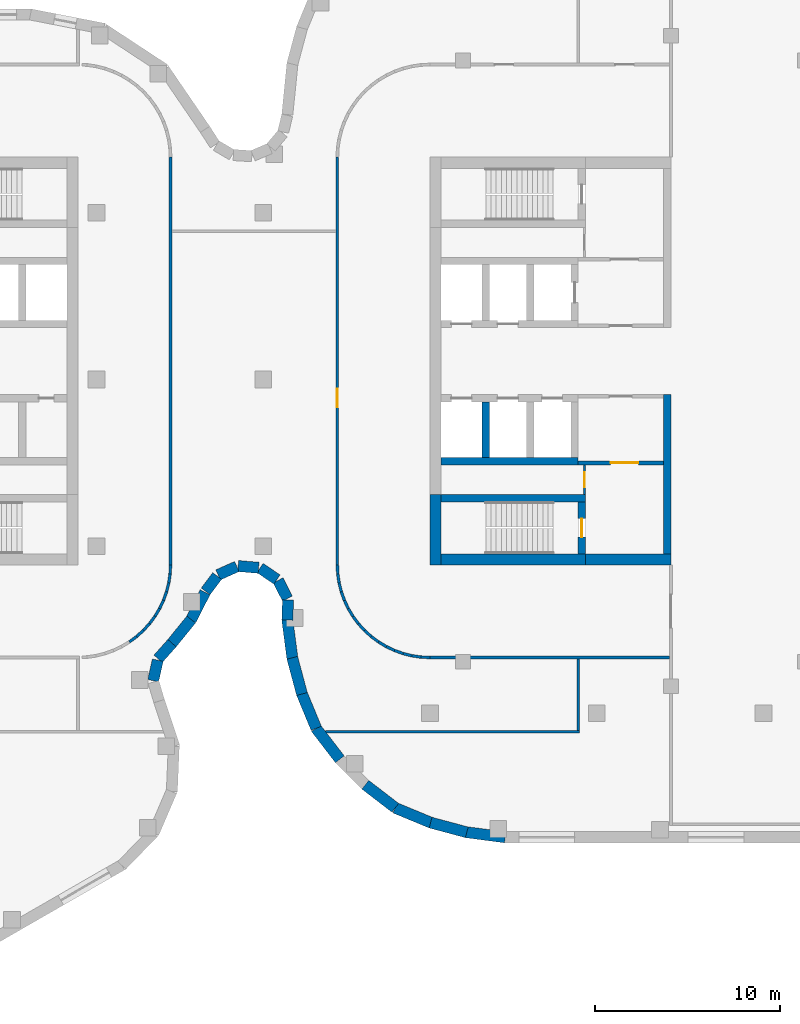
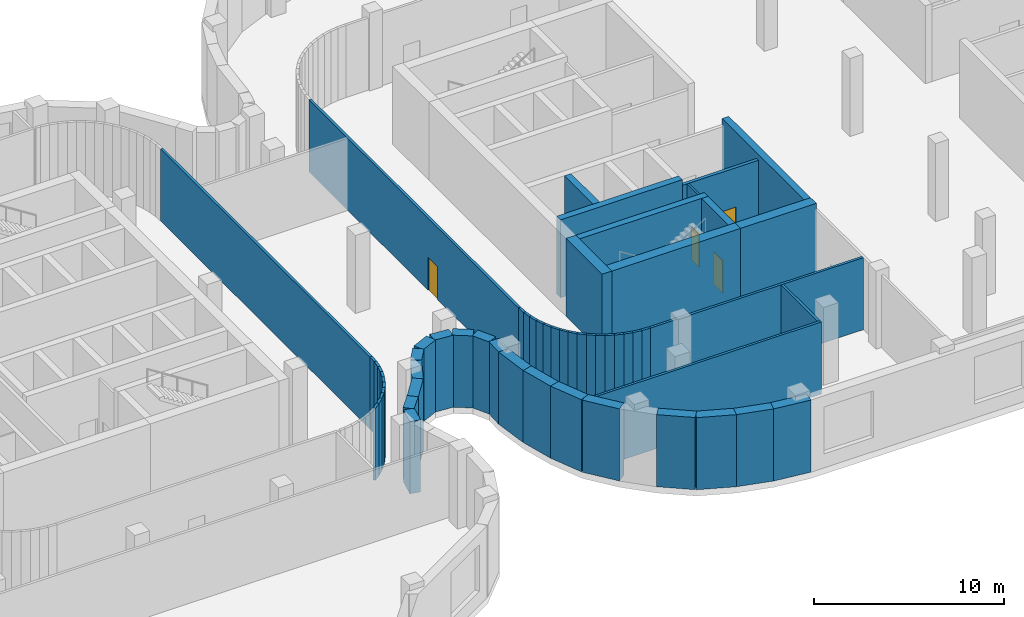
# One storey, part 9 of 18: 59 walls, 4 doors, 4 openings.
"""IFC4 building model written with IfcOpenShell, lengths in metres."""

from ifc_helpers import new_model, si_unit, direction, frame, frame_2d, origin, place, context, subcontext, project, spatial, rectangle, extrude, material, layer, layer_set, type_object, element, fill, save


model = new_model("IFC4")

# Units and contexts
model_context = context("Model", 3, precision=1e-05, world=origin(), true_north=direction((0.0, 1.0)))
body_context = subcontext(model_context, "Body", "Model", "MODEL_VIEW")
ifc_project = project(units=[si_unit("LENGTHUNIT", "METRE"), si_unit("AREAUNIT", "SQUARE_METRE"), si_unit("VOLUMEUNIT", "CUBIC_METRE"), si_unit("PLANEANGLEUNIT", "RADIAN"), si_unit("MASSUNIT", "GRAM", prefix="KILO")], contexts=[model_context])

# Site, building, storey
site_placement = place(None, origin())
site = spatial("IfcSite", under=ifc_project, at=site_placement, CompositionType="ELEMENT")
building_placement = place(site_placement, origin())
building = spatial("IfcBuilding", under=site, at=building_placement, Name="Skarvind Civic Tower", CompositionType="ELEMENT")
storey_placement = place(building_placement, frame((0.0, 0.0, 22.5)))
storey = spatial("IfcBuildingStorey", under=building, at=storey_placement, Name="L04", CompositionType="ELEMENT", Elevation=22.5)

# Wall, opening, door
ifc_material_1 = material(Name="Fire-rated masonry partition", Category="masonry")
ifc_layer_1 = layer(ifc_material_1, 0.199951171875)
ifc_layer_set_1 = layer_set([ifc_layer_1], Name="Core enclosure wall 200")
wall_type_1 = type_object("IfcWallType", Name="Core enclosure wall 200", PredefinedType="PARTITIONING", material=ifc_layer_set_1)
wall_1_placement = place(storey_placement, frame((139.60009765625, 122.5, 0.0), z_axis=(0.0, 0.0, 1.0), x_axis=(-1.0, 0.0, 0.0)))
wall_1 = element("IfcWall", 1, at=wall_1_placement, inside=storey, type_object=wall_type_1, Name="Core wall CA", PredefinedType="PARTITIONING", context=body_context, shape_type="SweptSolid", body=[
    extrude(rectangle(XDim=4.60009765625, YDim=0.199951171875, at=frame_2d((2.300048828125, 0.0))), origin(), (0.0, 0.0, 1.0), 4.625),
])
opening_1_placement = place(wall_1_placement, frame((1.35009765625, 0.0, 0.0)))
opening_1 = element("IfcOpeningElement", 2, at=opening_1_placement, cuts=wall_1, Name="Opening D-L04-CA-11", PredefinedType="OPENING", context=body_context, shape_type="SweptSolid", body=[
    extrude(rectangle(XDim=1.5, YDim=2.10009765625, at=frame_2d((0.75, 1.050048828125))), frame((0.0, 0.10986328125, 0.0), z_axis=(0.0, -1.0, 0.0), x_axis=(1.0, 0.0, 0.0)), (0.0, 0.0, 1.0), 0.219970703125),
])
ifc_material_2 = material(Name="Fire-rated steel door", Category="steel")
door_type_1 = type_object("IfcDoorType", Name="Fire door 1500", OperationType="NOTDEFINED", PredefinedType="DOOR", material=ifc_material_2)
door_1_placement = place(opening_1_placement, origin())
door_1 = element("IfcDoor", 3, at=door_1_placement, inside=storey, type_object=door_type_1, Name="Fire door", OperationType="DOUBLE_DOOR_SINGLE_SWING", OverallHeight=2.10009765625, OverallWidth=1.5, PredefinedType="DOOR", context=body_context, shape_type="SweptSolid", body=[
    extrude(rectangle(XDim=1.5, YDim=2.10009765625, at=frame_2d((0.75, 1.050048828125))), frame((0.0, 0.02490234375, 0.0), z_axis=(0.0, -1.0, 0.0), x_axis=(1.0, 0.0, 0.0)), (0.0, 0.0, 1.0), 0.050048828125),
])
fill(opening_1, door_1)

# Wall
ifc_material_3 = material(Name="Concrete C80", Category="concrete")
ifc_layer_2 = layer(ifc_material_3, 0.39990234375)
ifc_layer_set_2 = layer_set([ifc_layer_2], Name="Core wall 400 C80")
wall_type_2 = type_object("IfcWallType", Name="Core wall 400 C80", PredefinedType="SHEAR", material=ifc_layer_set_2)
wall_2_placement = place(storey_placement, frame((127.60009765625, 120.60009765625, 0.0), z_axis=(0.0, 0.0, 1.0), x_axis=(1.0, 0.0, 0.0)))
element("IfcWall", 4, at=wall_2_placement, inside=storey, type_object=wall_type_2, Name="Core wall CA south stair inner L04", PredefinedType="SHEAR", context=body_context, shape_type="SweptSolid", body=[
    extrude(rectangle(XDim=7.7998046875, YDim=0.39990234375, at=frame_2d((3.89990234375, 0.0))), origin(), (0.0, 0.0, 1.0), 5.0),
])

# Wall, opening, door
wall_3_placement = place(storey_placement, frame((135.199951171875, 117.60009765625, 0.0), z_axis=(0.0, 0.0, 1.0), x_axis=(0.0, 1.0, 0.0)))
wall_3 = element("IfcWall", 5, at=wall_3_placement, inside=storey, type_object=wall_type_2, Name="Core wall CA south stair end L04", PredefinedType="SHEAR", context=body_context, shape_type="SweptSolid", body=[
    extrude(rectangle(XDim=2.7998046875, YDim=0.39990234375, at=frame_2d((1.39990234375, 0.0))), origin(), (0.0, 0.0, 1.0), 5.0),
])
opening_2_placement = place(wall_3_placement, frame((0.89990234375, 0.0, 0.0)))
opening_2 = element("IfcOpeningElement", 6, at=opening_2_placement, cuts=wall_3, Name="Opening D-L04-CA-12", PredefinedType="OPENING", context=body_context, shape_type="SweptSolid", body=[
    extrude(rectangle(XDim=1.0, YDim=2.10009765625, at=frame_2d((0.5, 1.050048828125))), frame((0.0, 0.2099609375, 0.0), z_axis=(0.0, -1.0, 0.0), x_axis=(1.0, 0.0, 0.0)), (0.0, 0.0, 1.0), 0.419921875),
])
door_type_2 = type_object("IfcDoorType", Name="Fire door 1000", OperationType="NOTDEFINED", PredefinedType="DOOR", material=ifc_material_2)
door_2_placement = place(opening_2_placement, origin())
door_2 = element("IfcDoor", 7, at=door_2_placement, inside=storey, type_object=door_type_2, Name="Fire door", OperationType="SINGLE_SWING_RIGHT", OverallHeight=2.10009765625, OverallWidth=1.0, PredefinedType="DOOR", context=body_context, shape_type="SweptSolid", body=[
    extrude(rectangle(XDim=1.0, YDim=2.10009765625, at=frame_2d((0.5, 1.050048828125))), frame((0.0, 0.02490234375, 0.0), z_axis=(0.0, -1.0, 0.0), x_axis=(1.0, 0.0, 0.0)), (0.0, 0.0, 1.0), 0.050048828125),
])
fill(opening_2, door_2)

# Walls
wall_4_placement = place(storey_placement, frame((127.60009765625, 122.60009765625, 0.0), z_axis=(0.0, 0.0, 1.0), x_axis=(1.0, 0.0, 0.0)))
element("IfcWall", 8, at=wall_4_placement, inside=storey, type_object=wall_type_2, Name="Core wall CA south lift row back L04", PredefinedType="SHEAR", context=body_context, shape_type="SweptSolid", body=[
    extrude(rectangle(XDim=7.39990234375, YDim=0.39990234375, at=frame_2d((3.699951171875, 0.0))), origin(), (0.0, 0.0, 1.0), 5.0),
])
wall_5_placement = place(storey_placement, frame((130.0, 122.800048828125, 0.0), z_axis=(0.0, 0.0, 1.0), x_axis=(0.0, 1.0, 0.0)))
element("IfcWall", 9, at=wall_5_placement, inside=storey, type_object=wall_type_2, Name="Core wall CA south lift row division 1 L04", PredefinedType="SHEAR", context=body_context, shape_type="SweptSolid", body=[
    extrude(rectangle(XDim=3.0, YDim=0.39990234375, at=frame_2d((1.5, 0.0))), origin(), (0.0, 0.0, 1.0), 5.0),
])
wall_6_placement = place(storey_placement, frame((139.800048828125, 117.60009765625, 0.0), z_axis=(0.0, 0.0, 1.0), x_axis=(0.0, 1.0, 0.0)))
element("IfcWall", 10, at=wall_6_placement, inside=storey, type_object=wall_type_2, Name="Core wall CA south inner face L04", PredefinedType="SHEAR", context=body_context, shape_type="SweptSolid", body=[
    extrude(rectangle(XDim=8.599853515625, YDim=0.39990234375, at=frame_2d((4.2998046875, 0.0))), origin(), (0.0, 0.0, 1.0), 5.0),
])
ifc_layer_3 = layer(ifc_material_3, 0.60009765625)
ifc_layer_set_3 = layer_set([ifc_layer_3], Name="Core wall 600 C80")
wall_type_3 = type_object("IfcWallType", Name="Core wall 600 C80", PredefinedType="SHEAR", material=ifc_layer_set_3)
wall_7_placement = place(storey_placement, frame((127.300048828125, 117.0, 0.0), z_axis=(0.0, 0.0, 1.0), x_axis=(0.0, 1.0, 0.0)))
element("IfcWall", 11, at=wall_7_placement, inside=storey, type_object=wall_type_3, Name="Core wall CA tip at the south stair L04", PredefinedType="SHEAR", context=body_context, shape_type="SweptSolid", body=[
    extrude(rectangle(XDim=3.800048828125, YDim=0.60009765625, at=frame_2d((1.89990234375, 0.0))), origin(), (0.0, 0.0, 1.0), 5.0),
])
wall_8_placement = place(storey_placement, frame((127.60009765625, 117.300048828125, 0.0), z_axis=(0.0, 0.0, 1.0), x_axis=(1.0, 0.0, 0.0)))
element("IfcWall", 12, at=wall_8_placement, inside=storey, type_object=wall_type_3, Name="Core wall CA south side at the stair L04", PredefinedType="SHEAR", context=body_context, shape_type="SweptSolid", body=[
    extrude(rectangle(XDim=7.7998046875, YDim=0.60009765625, at=frame_2d((3.89990234375, 0.0))), origin(), (0.0, 0.0, 1.0), 5.0),
])
wall_9_placement = place(storey_placement, frame((135.39990234375, 117.300048828125, 0.0), z_axis=(0.0, 0.0, 1.0), x_axis=(1.0, 0.0, 0.0)))
element("IfcWall", 13, at=wall_9_placement, inside=storey, type_object=wall_type_3, Name="Core wall CA south side L04", PredefinedType="SHEAR", context=body_context, shape_type="SweptSolid", body=[
    extrude(rectangle(XDim=4.60009765625, YDim=0.60009765625, at=frame_2d((2.300048828125, 0.0))), origin(), (0.0, 0.0, 1.0), 5.0),
])
ifc_material_4 = material(Name="Plasterboard partition on steel studs", Category="steel")
ifc_layer_4 = layer(ifc_material_4, 0.14990234375)
ifc_layer_set_4 = layer_set([ifc_layer_4], Name="PARTITION 150")
wall_type_4 = type_object("IfcWallType", Name="PARTITION 150", PredefinedType="PARTITIONING", material=ifc_layer_set_4)
wall_10_placement = place(storey_placement, frame((110.77490234375, 112.841064453125, 0.0), z_axis=(0.0, 0.0, 1.0), x_axis=(0.80404358372, 0.594570362092, 0.0)))
element("IfcWall", 14, at=wall_10_placement, inside=storey, type_object=wall_type_4, Name="Podium partition L04 180", PredefinedType="PARTITIONING", context=body_context, shape_type="SweptSolid", body=[
    extrude(rectangle(XDim=0.49755859375, YDim=0.14990234375, at=frame_2d((0.248779296875, 0.0))), origin(), (0.0, 0.0, 1.0), 4.625),
])
for number, where, z_axis, x_axis, name in (
    (15, (111.1689453125, 113.133056640625, 0.0), (0.0, 0.0, 1.0), (0.742416880587, 0.66993818776, 0.0), "Podium partition L04 182"),
    (16, (111.532958984375, 113.4609375, 0.0), (0.0, 0.0, 1.0), (0.66993818776, 0.742416880587, 0.0), "Podium partition L04 184"),
):
    element("IfcWall", number, at=place(storey_placement, frame(where, z_axis=z_axis, x_axis=x_axis)), inside=storey, type_object=wall_type_4, Name=name, PredefinedType="PARTITIONING", context=body_context, shape_type="SweptSolid", body=[
        extrude(rectangle(XDim=0.49853515625, YDim=0.14990234375, at=frame_2d((0.249267578125, 0.0))), origin(), (0.0, 0.0, 1.0), 4.625),
    ])
wall_11_placement = place(storey_placement, frame((111.863037109375, 113.824951171875, 0.0), z_axis=(0.0, 0.0, 1.0), x_axis=(0.594570362092, 0.80404358372, 0.0)))
element("IfcWall", 17, at=wall_11_placement, inside=storey, type_object=wall_type_4, Name="Podium partition L04 186", PredefinedType="PARTITIONING", context=body_context, shape_type="SweptSolid", body=[
    extrude(rectangle(XDim=0.49755859375, YDim=0.14990234375, at=frame_2d((0.248779296875, 0.0))), origin(), (0.0, 0.0, 1.0), 4.625),
])
wall_12_placement = place(storey_placement, frame((112.155029296875, 114.218994140625, 0.0), z_axis=(0.0, 0.0, 1.0), x_axis=(0.515791778052, 0.85671397893, 0.0)))
element("IfcWall", 18, at=wall_12_placement, inside=storey, type_object=wall_type_4, Name="Podium partition L04 188", PredefinedType="PARTITIONING", context=body_context, shape_type="SweptSolid", body=[
    extrude(rectangle(XDim=0.49853515625, YDim=0.14990234375, at=frame_2d((0.249267578125, 0.0))), origin(), (0.0, 0.0, 1.0), 4.625),
])
for number, where, z_axis, x_axis, name in (
    (19, (112.407958984375, 114.639892578125, 0.0), (0.0, 0.0, 1.0), (0.427896709028, 0.903827641978, 0.0), "Podium partition L04 190"),
    (20, (112.617919921875, 115.083984375, 0.0), (0.0, 0.0, 1.0), (0.3371744988, 0.941442168887, 0.0), "Podium partition L04 192"),
):
    element("IfcWall", number, at=place(storey_placement, frame(where, z_axis=z_axis, x_axis=x_axis)), inside=storey, type_object=wall_type_4, Name=name, PredefinedType="PARTITIONING", context=body_context, shape_type="SweptSolid", body=[
        extrude(rectangle(XDim=0.498046875, YDim=0.14990234375, at=frame_2d((0.2490234375, 0.0))), origin(), (0.0, 0.0, 1.0), 4.625),
    ])
wall_13_placement = place(storey_placement, frame((112.783935546875, 115.544921875, 0.0), z_axis=(0.0, 0.0, 1.0), x_axis=(0.242650732785, 0.970113715952, 0.0)))
element("IfcWall", 21, at=wall_13_placement, inside=storey, type_object=wall_type_4, Name="Podium partition L04 194", PredefinedType="PARTITIONING", context=body_context, shape_type="SweptSolid", body=[
    extrude(rectangle(XDim=0.4990234375, YDim=0.14990234375, at=frame_2d((0.24951171875, 0.0))), origin(), (0.0, 0.0, 1.0), 4.625),
])
wall_14_placement = place(storey_placement, frame((112.903076171875, 116.02099609375, 0.0), z_axis=(0.0, 0.0, 1.0), x_axis=(0.148412307247, 0.988925572052, 0.0)))
element("IfcWall", 22, at=wall_14_placement, inside=storey, type_object=wall_type_4, Name="Podium partition L04 196", PredefinedType="PARTITIONING", context=body_context, shape_type="SweptSolid", body=[
    extrude(rectangle(XDim=0.49853515625, YDim=0.14990234375, at=frame_2d((0.249267578125, 0.0))), origin(), (0.0, 0.0, 1.0), 4.625),
])
wall_15_placement = place(storey_placement, frame((112.97607421875, 116.506103515625, 0.0), z_axis=(0.0, 0.0, 1.0), x_axis=(0.048196018647, 0.998837896651, 0.0)))
element("IfcWall", 23, at=wall_15_placement, inside=storey, type_object=wall_type_4, Name="Podium partition L04 198", PredefinedType="PARTITIONING", context=body_context, shape_type="SweptSolid", body=[
    extrude(rectangle(XDim=0.496337890625, YDim=0.14990234375, at=frame_2d((0.248046875, 0.0))), origin(), (0.0, 0.0, 1.0), 4.625),
])
wall_16_placement = place(storey_placement, frame((113.0, 116.998046875, 0.0), z_axis=(0.0, 0.0, 1.0), x_axis=(0.0, 1.0, 0.0)))
element("IfcWall", 24, at=wall_16_placement, inside=storey, type_object=wall_type_4, Name="Podium partition L04 200", PredefinedType="PARTITIONING", context=body_context, shape_type="SweptSolid", body=[
    extrude(rectangle(XDim=22.00390625, YDim=0.14990234375, at=frame_2d((11.001953125, 0.0))), origin(), (0.0, 0.0, 1.0), 4.625),
])
wall_17_placement = place(storey_placement, frame((121.367919921875, 108.0, 0.0), z_axis=(0.0, 0.0, 1.0), x_axis=(1.0, 0.0, 0.0)))
element("IfcWall", 25, at=wall_17_placement, inside=storey, type_object=wall_type_4, Name="Podium partition L04 202", PredefinedType="PARTITIONING", context=body_context, shape_type="SweptSolid", body=[
    extrude(rectangle(XDim=13.70703125, YDim=0.14990234375, at=frame_2d((6.853515625, 0.0))), origin(), (0.0, 0.0, 1.0), 4.625),
])

# Wall, opening, door
wall_18_placement = place(storey_placement, frame((122.0, 116.998046875, 0.0), z_axis=(0.0, 0.0, 1.0), x_axis=(0.0, 1.0, 0.0)))
wall_18 = element("IfcWall", 26, at=wall_18_placement, inside=storey, type_object=wall_type_4, Name="Podium partition L04 203", PredefinedType="PARTITIONING", context=body_context, shape_type="SweptSolid", body=[
    extrude(rectangle(XDim=22.00390625, YDim=0.14990234375, at=frame_2d((11.001953125, 0.0))), origin(), (0.0, 0.0, 1.0), 4.625),
])
opening_3_placement = place(wall_18_placement, frame((8.50390625, 0.0, 0.0)))
opening_3 = element("IfcOpeningElement", 27, at=opening_3_placement, cuts=wall_18, Name="Opening L04-D220", PredefinedType="OPENING", context=body_context, shape_type="SweptSolid", body=[
    extrude(rectangle(XDim=1.0, YDim=2.10009765625, at=frame_2d((0.5, 1.050048828125))), frame((0.0, 0.0849609375, 0.0), z_axis=(0.0, -1.0, 0.0), x_axis=(1.0, 0.0, 0.0)), (0.0, 0.0, 1.0), 0.169921875),
])
ifc_material_5 = material(Name="Timber veneer door leaf", Category="wood")
door_type_3 = type_object("IfcDoorType", Name="DOOR 1000X2100 TIMBER", OperationType="NOTDEFINED", PredefinedType="DOOR", material=ifc_material_5)
door_3_placement = place(opening_3_placement, origin())
door_3 = element("IfcDoor", 28, at=door_3_placement, inside=storey, type_object=door_type_3, Name="DOOR DOOR", OperationType="SINGLE_SWING_RIGHT", OverallHeight=2.10009765625, OverallWidth=1.0, PredefinedType="DOOR", context=body_context, shape_type="SweptSolid", body=[
    extrude(rectangle(XDim=1.0, YDim=2.10009765625, at=frame_2d((0.5, 1.050048828125))), frame((0.0, 0.02490234375, 0.0), z_axis=(0.0, -1.0, 0.0), x_axis=(1.0, 0.0, 0.0)), (0.0, 0.0, 1.0), 0.050048828125),
])
fill(opening_3, door_3)

# Walls
wall_19_placement = place(storey_placement, frame((122.0, 117.001953125, 0.0), z_axis=(0.0, 0.0, 1.0), x_axis=(0.048196018647, -0.998837896651, 0.0)))
element("IfcWall", 29, at=wall_19_placement, inside=storey, type_object=wall_type_4, Name="Podium partition L04 204", PredefinedType="PARTITIONING", context=body_context, shape_type="SweptSolid", body=[
    extrude(rectangle(XDim=0.496337890625, YDim=0.14990234375, at=frame_2d((0.248046875, 0.0))), origin(), (0.0, 0.0, 1.0), 4.625),
])
wall_20_placement = place(storey_placement, frame((122.02294921875, 116.513916015625, 0.0), z_axis=(0.0, 0.0, 1.0), x_axis=(0.148412307247, -0.988925572052, 0.0)))
element("IfcWall", 30, at=wall_20_placement, inside=storey, type_object=wall_type_4, Name="Podium partition L04 206", PredefinedType="PARTITIONING", context=body_context, shape_type="SweptSolid", body=[
    extrude(rectangle(XDim=0.49853515625, YDim=0.14990234375, at=frame_2d((0.249267578125, 0.0))), origin(), (0.0, 0.0, 1.0), 4.625),
])
wall_21_placement = place(storey_placement, frame((122.094970703125, 116.029052734375, 0.0), z_axis=(0.0, 0.0, 1.0), x_axis=(0.242650732785, -0.970113715952, 0.0)))
element("IfcWall", 31, at=wall_21_placement, inside=storey, type_object=wall_type_4, Name="Podium partition L04 208", PredefinedType="PARTITIONING", context=body_context, shape_type="SweptSolid", body=[
    extrude(rectangle(XDim=0.4990234375, YDim=0.14990234375, at=frame_2d((0.24951171875, 0.0))), origin(), (0.0, 0.0, 1.0), 4.625),
])
for number, where, z_axis, x_axis, name in (
    (32, (122.214111328125, 115.552978515625, 0.0), (0.0, 0.0, 1.0), (0.3371744988, -0.941442168887, 0.0), "Podium partition L04 210"),
    (33, (122.37890625, 115.090087890625, 0.0), (0.0, 0.0, 1.0), (0.427896709028, -0.903827641978, 0.0), "Podium partition L04 212"),
):
    element("IfcWall", number, at=place(storey_placement, frame(where, z_axis=z_axis, x_axis=x_axis)), inside=storey, type_object=wall_type_4, Name=name, PredefinedType="PARTITIONING", context=body_context, shape_type="SweptSolid", body=[
        extrude(rectangle(XDim=0.498046875, YDim=0.14990234375, at=frame_2d((0.2490234375, 0.0))), origin(), (0.0, 0.0, 1.0), 4.625),
    ])
wall_22_placement = place(storey_placement, frame((122.587890625, 114.64599609375, 0.0), z_axis=(0.0, 0.0, 1.0), x_axis=(0.515791778052, -0.85671397893, 0.0)))
element("IfcWall", 34, at=wall_22_placement, inside=storey, type_object=wall_type_4, Name="Podium partition L04 214", PredefinedType="PARTITIONING", context=body_context, shape_type="SweptSolid", body=[
    extrude(rectangle(XDim=0.49853515625, YDim=0.14990234375, at=frame_2d((0.249267578125, 0.0))), origin(), (0.0, 0.0, 1.0), 4.625),
])
wall_23_placement = place(storey_placement, frame((122.841064453125, 114.22509765625, 0.0), z_axis=(0.0, 0.0, 1.0), x_axis=(0.594570362092, -0.80404358372, 0.0)))
element("IfcWall", 35, at=wall_23_placement, inside=storey, type_object=wall_type_4, Name="Podium partition L04 216", PredefinedType="PARTITIONING", context=body_context, shape_type="SweptSolid", body=[
    extrude(rectangle(XDim=0.49755859375, YDim=0.14990234375, at=frame_2d((0.248779296875, 0.0))), origin(), (0.0, 0.0, 1.0), 4.625),
])
for number, where, z_axis, x_axis, name in (
    (36, (123.133056640625, 113.8310546875, 0.0), (0.0, 0.0, 1.0), (0.66993818776, -0.742416880587, 0.0), "Podium partition L04 218"),
    (37, (123.4609375, 113.467041015625, 0.0), (0.0, 0.0, 1.0), (0.742416880587, -0.66993818776, 0.0), "Podium partition L04 220"),
):
    element("IfcWall", number, at=place(storey_placement, frame(where, z_axis=z_axis, x_axis=x_axis)), inside=storey, type_object=wall_type_4, Name=name, PredefinedType="PARTITIONING", context=body_context, shape_type="SweptSolid", body=[
        extrude(rectangle(XDim=0.49853515625, YDim=0.14990234375, at=frame_2d((0.249267578125, 0.0))), origin(), (0.0, 0.0, 1.0), 4.625),
    ])
wall_24_placement = place(storey_placement, frame((123.824951171875, 113.136962890625, 0.0), z_axis=(0.0, 0.0, 1.0), x_axis=(0.80404358372, -0.594570362092, 0.0)))
element("IfcWall", 38, at=wall_24_placement, inside=storey, type_object=wall_type_4, Name="Podium partition L04 222", PredefinedType="PARTITIONING", context=body_context, shape_type="SweptSolid", body=[
    extrude(rectangle(XDim=0.49755859375, YDim=0.14990234375, at=frame_2d((0.248779296875, 0.0))), origin(), (0.0, 0.0, 1.0), 4.625),
])
wall_25_placement = place(storey_placement, frame((124.218994140625, 112.844970703125, 0.0), z_axis=(0.0, 0.0, 1.0), x_axis=(0.85671397893, -0.515791778052, 0.0)))
element("IfcWall", 39, at=wall_25_placement, inside=storey, type_object=wall_type_4, Name="Podium partition L04 224", PredefinedType="PARTITIONING", context=body_context, shape_type="SweptSolid", body=[
    extrude(rectangle(XDim=0.49853515625, YDim=0.14990234375, at=frame_2d((0.249267578125, 0.0))), origin(), (0.0, 0.0, 1.0), 4.625),
])
for number, where, z_axis, x_axis, name in (
    (40, (124.639892578125, 112.592041015625, 0.0), (0.0, 0.0, 1.0), (0.903827641978, -0.427896709028, 0.0), "Podium partition L04 226"),
    (41, (125.083984375, 112.382080078125, 0.0), (0.0, 0.0, 1.0), (0.941442168887, -0.3371744988, 0.0), "Podium partition L04 228"),
):
    element("IfcWall", number, at=place(storey_placement, frame(where, z_axis=z_axis, x_axis=x_axis)), inside=storey, type_object=wall_type_4, Name=name, PredefinedType="PARTITIONING", context=body_context, shape_type="SweptSolid", body=[
        extrude(rectangle(XDim=0.498046875, YDim=0.14990234375, at=frame_2d((0.2490234375, 0.0))), origin(), (0.0, 0.0, 1.0), 4.625),
    ])
wall_26_placement = place(storey_placement, frame((125.544921875, 112.216064453125, 0.0), z_axis=(0.0, 0.0, 1.0), x_axis=(0.970113715952, -0.242650732785, 0.0)))
element("IfcWall", 42, at=wall_26_placement, inside=storey, type_object=wall_type_4, Name="Podium partition L04 230", PredefinedType="PARTITIONING", context=body_context, shape_type="SweptSolid", body=[
    extrude(rectangle(XDim=0.4990234375, YDim=0.14990234375, at=frame_2d((0.24951171875, 0.0))), origin(), (0.0, 0.0, 1.0), 4.625),
])
wall_27_placement = place(storey_placement, frame((126.02099609375, 112.096923828125, 0.0), z_axis=(0.0, 0.0, 1.0), x_axis=(0.988925572052, -0.148412307247, 0.0)))
element("IfcWall", 43, at=wall_27_placement, inside=storey, type_object=wall_type_4, Name="Podium partition L04 232", PredefinedType="PARTITIONING", context=body_context, shape_type="SweptSolid", body=[
    extrude(rectangle(XDim=0.49853515625, YDim=0.14990234375, at=frame_2d((0.249267578125, 0.0))), origin(), (0.0, 0.0, 1.0), 4.625),
])
wall_28_placement = place(storey_placement, frame((126.506103515625, 112.02392578125, 0.0), z_axis=(0.0, 0.0, 1.0), x_axis=(0.998837896651, -0.048196018647, 0.0)))
element("IfcWall", 44, at=wall_28_placement, inside=storey, type_object=wall_type_4, Name="Podium partition L04 234", PredefinedType="PARTITIONING", context=body_context, shape_type="SweptSolid", body=[
    extrude(rectangle(XDim=0.496337890625, YDim=0.14990234375, at=frame_2d((0.248046875, 0.0))), origin(), (0.0, 0.0, 1.0), 4.625),
])
wall_29_placement = place(storey_placement, frame((126.998046875, 112.0, 0.0), z_axis=(0.0, 0.0, 1.0), x_axis=(1.0, 0.0, 0.0)))
element("IfcWall", 45, at=wall_29_placement, inside=storey, type_object=wall_type_4, Name="Podium partition L04 236", PredefinedType="PARTITIONING", context=body_context, shape_type="SweptSolid", body=[
    extrude(rectangle(XDim=12.927001953125, YDim=0.14990234375, at=frame_2d((6.46337890625, 0.0))), origin(), (0.0, 0.0, 1.0), 4.625),
])
wall_30_placement = place(storey_placement, frame((135.0, 108.074951171875, 0.0), z_axis=(0.0, 0.0, 1.0), x_axis=(0.0, 1.0, 0.0)))
element("IfcWall", 46, at=wall_30_placement, inside=storey, type_object=wall_type_4, Name="Podium partition L04 238", PredefinedType="PARTITIONING", context=body_context, shape_type="SweptSolid", body=[
    extrude(rectangle(XDim=3.85009765625, YDim=0.14990234375, at=frame_2d((1.925048828125, 0.0))), origin(), (0.0, 0.0, 1.0), 4.625),
])

# Wall, opening, door
ifc_layer_5 = layer(ifc_material_1, 0.125)
ifc_layer_set_5 = layer_set([ifc_layer_5], Name="Riser wall 125")
wall_type_5 = type_object("IfcWallType", Name="Riser wall 125", PredefinedType="PARTITIONING", material=ifc_layer_set_5)
wall_31_placement = place(storey_placement, frame((135.33740234375, 122.39990234375, 0.0), z_axis=(0.0, 0.0, 1.0), x_axis=(0.0, -1.0, 0.0)))
wall_31 = element("IfcWall", 47, at=wall_31_placement, inside=storey, type_object=wall_type_5, Name="Core wall CA", PredefinedType="PARTITIONING", context=body_context, shape_type="SweptSolid", body=[
    extrude(rectangle(XDim=1.599853515625, YDim=0.125, at=frame_2d((0.7998046875, 0.0))), origin(), (0.0, 0.0, 1.0), 4.625),
])
opening_4_placement = place(wall_31_placement, frame((0.39990234375, 0.0, 0.0)))
opening_4 = element("IfcOpeningElement", 48, at=opening_4_placement, cuts=wall_31, Name="Opening D-L04-CA-13", PredefinedType="OPENING", context=body_context, shape_type="SweptSolid", body=[
    extrude(rectangle(XDim=0.800048828125, YDim=2.10009765625, at=frame_2d((0.39990234375, 1.050048828125))), frame((0.0, 0.072509765625, 0.0), z_axis=(0.0, -1.0, 0.0), x_axis=(1.0, 0.0, 0.0)), (0.0, 0.0, 1.0), 0.14501953125),
])
door_type_4 = type_object("IfcDoorType", Name="Core riser door 800", OperationType="NOTDEFINED", PredefinedType="DOOR", material=ifc_material_2)
door_4_placement = place(opening_4_placement, origin())
door_4 = element("IfcDoor", 49, at=door_4_placement, inside=storey, type_object=door_type_4, Name="Riser door", OperationType="SINGLE_SWING_LEFT", OverallHeight=2.10009765625, OverallWidth=0.800048828125, PredefinedType="DOOR", context=body_context, shape_type="SweptSolid", body=[
    extrude(rectangle(XDim=0.800048828125, YDim=2.10009765625, at=frame_2d((0.39990234375, 1.050048828125))), frame((0.0, 0.02490234375, 0.0), z_axis=(0.0, -1.0, 0.0), x_axis=(1.0, 0.0, 0.0)), (0.0, 0.0, 1.0), 0.050048828125),
])
fill(opening_4, door_4)

# Walls
ifc_material_6 = material(Name="Limestone masonry cladding on insulated backing", Category="masonry")
ifc_layer_6 = layer(ifc_material_6, 0.60009765625)
ifc_layer_set_6 = layer_set([ifc_layer_6], Name="WX1 STONE FACADE WALL 600")
wall_type_6 = type_object("IfcWallType", Name="WX1 STONE FACADE WALL 600", PredefinedType="SOLIDWALL", material=ifc_layer_set_6)
wall_32_placement = place(storey_placement, frame((112.309814453125, 111.859130859375, 0.0), z_axis=(0.0, 0.0, 1.0), x_axis=(-0.216998636299, -0.976171906912, 0.0)))
element("IfcWall", 50, at=wall_32_placement, inside=storey, type_object=wall_type_6, Name="STONE FACADE WALL", PredefinedType="SOLIDWALL", context=body_context, shape_type="SweptSolid", body=[
    extrude(rectangle(XDim=1.137451171875, YDim=0.60009765625, at=frame_2d((0.56884765625, 0.0))), origin(), (0.0, 0.0, 1.0), 4.625),
])
wall_33_placement = place(storey_placement, frame((113.0791015625, 112.77392578125, 0.0), z_axis=(0.0, 0.0, 1.0), x_axis=(-0.664538540083, -0.747253992123, 0.0)))
element("IfcWall", 51, at=wall_33_placement, inside=storey, type_object=wall_type_6, Name="STONE FACADE WALL", PredefinedType="SOLIDWALL", context=body_context, shape_type="SweptSolid", body=[
    extrude(rectangle(XDim=1.12744140625, YDim=0.60009765625, at=frame_2d((0.563720703125, 0.0))), origin(), (0.0, 0.0, 1.0), 4.625),
])
wall_34_placement = place(storey_placement, frame((114.114501953125, 114.05078125, 0.0), z_axis=(0.0, 0.0, 1.0), x_axis=(-0.630015715698, -0.77658238325, 0.0)))
element("IfcWall", 52, at=wall_34_placement, inside=storey, type_object=wall_type_6, Name="STONE FACADE WALL", PredefinedType="SOLIDWALL", context=body_context, shape_type="SweptSolid", body=[
    extrude(rectangle(XDim=1.657470703125, YDim=0.60009765625, at=frame_2d((0.82861328125, 0.0))), origin(), (0.0, 0.0, 1.0), 4.625),
])
wall_35_placement = place(storey_placement, frame((114.865478515625, 115.524658203125, 0.0), z_axis=(0.0, 0.0, 1.0), x_axis=(-0.454203210797, -0.890898110505, 0.0)))
element("IfcWall", 53, at=wall_35_placement, inside=storey, type_object=wall_type_6, Name="STONE FACADE WALL", PredefinedType="SOLIDWALL", context=body_context, shape_type="SweptSolid", body=[
    extrude(rectangle(XDim=1.687255859375, YDim=0.60009765625, at=frame_2d((0.84375, 0.0))), origin(), (0.0, 0.0, 1.0), 4.625),
])
wall_36_placement = place(storey_placement, frame((115.5166015625, 116.39990234375, 0.0), z_axis=(0.0, 0.0, 1.0), x_axis=(-0.60018790921, -0.799859033604, 0.0)))
element("IfcWall", 54, at=wall_36_placement, inside=storey, type_object=wall_type_6, Name="STONE FACADE WALL", PredefinedType="SOLIDWALL", context=body_context, shape_type="SweptSolid", body=[
    extrude(rectangle(XDim=1.039306640625, YDim=0.60009765625, at=frame_2d((0.51953125, 0.0))), origin(), (0.0, 0.0, 1.0), 4.625),
])
for number, where, z_axis, x_axis, name in (
    (55, (116.5771484375, 116.91015625, 0.0), (0.0, 0.0, 1.0), (-0.912911040257, -0.408158587533, 0.0), "STONE FACADE WALL"),
    (56, (117.751953125, 116.841552734375, 0.0), (0.0, 0.0, 1.0), (-0.996273540208, 0.086249829453, 0.0), "STONE FACADE WALL"),
):
    element("IfcWall", number, at=place(storey_placement, frame(where, z_axis=z_axis, x_axis=x_axis)), inside=storey, type_object=wall_type_6, Name=name, PredefinedType="SOLIDWALL", context=body_context, shape_type="SweptSolid", body=[
        extrude(rectangle(XDim=1.109619140625, YDim=0.60009765625, at=frame_2d((0.5546875, 0.0))), origin(), (0.0, 0.0, 1.0), 4.625),
    ])
for number, where, z_axis, x_axis, name in (
    (57, (118.74560546875, 116.211181640625, 0.0), (0.0, 0.0, 1.0), (-0.829195474535, 0.558958732834, 0.0), "STONE FACADE WALL"),
    (58, (119.308837890625, 115.177978515625, 0.0), (0.0, 0.0, 1.0), (-0.453803794189, 0.891101630781, 0.0), "STONE FACADE WALL"),
):
    element("IfcWall", number, at=place(storey_placement, frame(where, z_axis=z_axis, x_axis=x_axis)), inside=storey, type_object=wall_type_6, Name=name, PredefinedType="SOLIDWALL", context=body_context, shape_type="SweptSolid", body=[
        extrude(rectangle(XDim=1.109375, YDim=0.60009765625, at=frame_2d((0.5546875, 0.0))), origin(), (0.0, 0.0, 1.0), 4.625),
    ])
wall_37_placement = place(storey_placement, frame((119.30029296875, 114.02099609375, 0.0), z_axis=(0.0, 0.0, 1.0), x_axis=(0.035627591166, 0.999365135848, 0.0)))
element("IfcWall", 59, at=wall_37_placement, inside=storey, type_object=wall_type_6, Name="STONE FACADE WALL", PredefinedType="SOLIDWALL", context=body_context, shape_type="SweptSolid", body=[
    extrude(rectangle(XDim=1.089599609375, YDim=0.60009765625, at=frame_2d((0.544921875, 0.0))), origin(), (0.0, 0.0, 1.0), 4.625),
])
wall_38_placement = place(storey_placement, frame((119.57568359375, 111.947509765625, 0.0), z_axis=(0.0, 0.0, 1.0), x_axis=(-0.130558200013, 0.991440646942, 0.0)))
element("IfcWall", 60, at=wall_38_placement, inside=storey, type_object=wall_type_6, Name="STONE FACADE WALL", PredefinedType="SOLIDWALL", context=body_context, shape_type="SweptSolid", body=[
    extrude(rectangle(XDim=2.1318359375, YDim=0.60009765625, at=frame_2d((1.06591796875, 0.0))), origin(), (0.0, 0.0, 1.0), 4.625),
])
wall_39_placement = place(storey_placement, frame((120.091552734375, 110.032470703125, 0.0), z_axis=(0.0, 0.0, 1.0), x_axis=(-0.258804467146, 0.965929732323, 0.0)))
element("IfcWall", 61, at=wall_39_placement, inside=storey, type_object=wall_type_6, Name="STONE FACADE WALL", PredefinedType="SOLIDWALL", context=body_context, shape_type="SweptSolid", body=[
    extrude(rectangle(XDim=2.0224609375, YDim=0.60009765625, at=frame_2d((1.01123046875, 0.0))), origin(), (0.0, 0.0, 1.0), 4.625),
])
wall_40_placement = place(storey_placement, frame((120.8603515625, 108.1806640625, 0.0), z_axis=(0.0, 0.0, 1.0), x_axis=(-0.382341242798, 0.924021197839, 0.0)))
element("IfcWall", 62, at=wall_40_placement, inside=storey, type_object=wall_type_6, Name="STONE FACADE WALL", PredefinedType="SOLIDWALL", context=body_context, shape_type="SweptSolid", body=[
    extrude(rectangle(XDim=2.0439453125, YDim=0.60009765625, at=frame_2d((1.02197265625, 0.0))), origin(), (0.0, 0.0, 1.0), 4.625),
])
wall_41_placement = place(storey_placement, frame((122.135498046875, 106.50732421875, 0.0), z_axis=(0.0, 0.0, 1.0), x_axis=(-0.609052002567, 0.79313029079, 0.0)))
element("IfcWall", 63, at=wall_41_placement, inside=storey, type_object=wall_type_6, Name="STONE FACADE WALL", PredefinedType="SOLIDWALL", context=body_context, shape_type="SweptSolid", body=[
    extrude(rectangle(XDim=2.114013671875, YDim=0.60009765625, at=frame_2d((1.05712890625, 0.0))), origin(), (0.0, 0.0, 1.0), 4.625),
])
wall_42_placement = place(storey_placement, frame((125.12841796875, 103.890625, 0.0), z_axis=(0.0, 0.0, 1.0), x_axis=(-0.793125485267, 0.609058260448, 0.0)))
element("IfcWall", 64, at=wall_42_placement, inside=storey, type_object=wall_type_6, Name="STONE FACADE WALL", PredefinedType="SOLIDWALL", context=body_context, shape_type="SweptSolid", body=[
    extrude(rectangle(XDim=2.0439453125, YDim=0.60009765625, at=frame_2d((1.02197265625, 0.0))), origin(), (0.0, 0.0, 1.0), 4.625),
])
wall_43_placement = place(storey_placement, frame((127.0693359375, 103.078857421875, 0.0), z_axis=(0.0, 0.0, 1.0), x_axis=(-0.924006983526, 0.382375593358, 0.0)))
element("IfcWall", 65, at=wall_43_placement, inside=storey, type_object=wall_type_6, Name="STONE FACADE WALL", PredefinedType="SOLIDWALL", context=body_context, shape_type="SweptSolid", body=[
    extrude(rectangle(XDim=2.114013671875, YDim=0.60009765625, at=frame_2d((1.05712890625, 0.0))), origin(), (0.0, 0.0, 1.0), 4.625),
])
wall_44_placement = place(storey_placement, frame((128.986083984375, 102.568115234375, 0.0), z_axis=(0.0, 0.0, 1.0), x_axis=(-0.965929732323, 0.258804467146, 0.0)))
element("IfcWall", 66, at=wall_44_placement, inside=storey, type_object=wall_type_6, Name="STONE FACADE WALL", PredefinedType="SOLIDWALL", context=body_context, shape_type="SweptSolid", body=[
    extrude(rectangle(XDim=2.0224609375, YDim=0.60009765625, at=frame_2d((1.01123046875, 0.0))), origin(), (0.0, 0.0, 1.0), 4.625),
])
wall_45_placement = place(storey_placement, frame((131.06103515625, 102.29736328125, 0.0), z_axis=(0.0, 0.0, 1.0), x_axis=(-0.991440646942, 0.130558200013, 0.0)))
element("IfcWall", 67, at=wall_45_placement, inside=storey, type_object=wall_type_6, Name="STONE FACADE WALL", PredefinedType="SOLIDWALL", context=body_context, shape_type="SweptSolid", body=[
    extrude(rectangle(XDim=2.1318359375, YDim=0.60009765625, at=frame_2d((1.06591796875, 0.0))), origin(), (0.0, 0.0, 1.0), 4.625),
])

save(model, "model.ifc")
